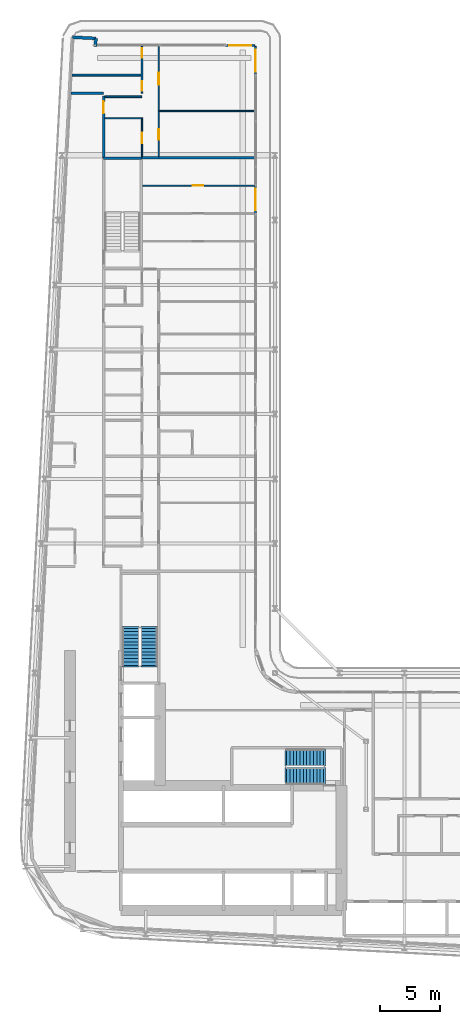
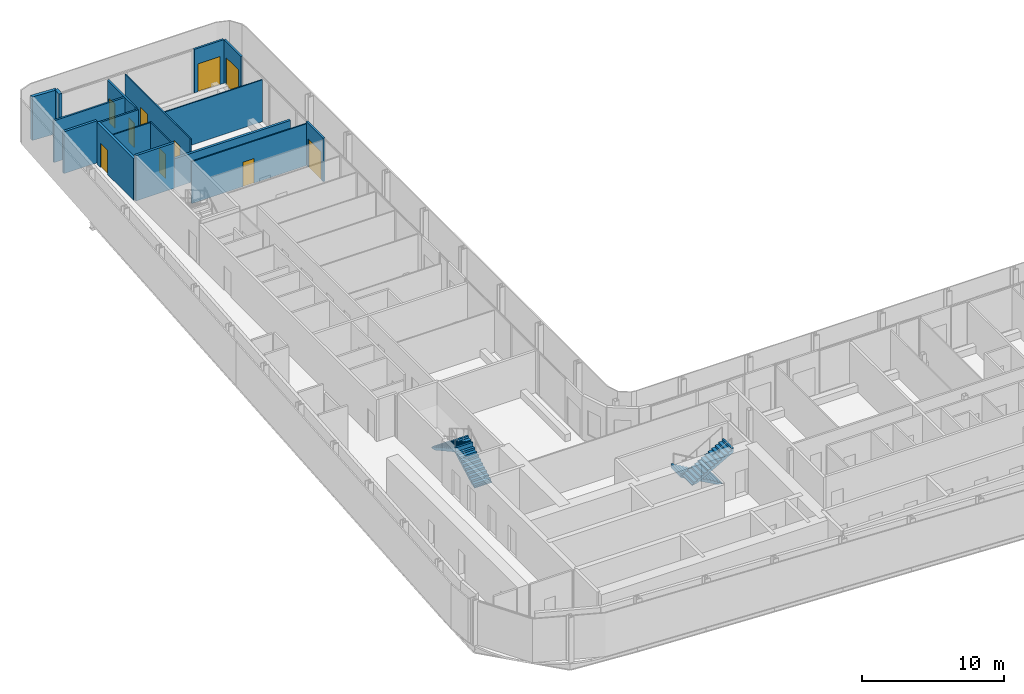
# One storey, part 20 of 28: 17 walls, 10 doors, 4 stair flights, 10 openings, 2 elements without a shape of their own.
"""IFC4 building model written with IfcOpenShell, lengths in metres."""

from ifc_helpers import new_model, si_unit, direction, frame, frame_2d, origin, place, context, subcontext, project, spatial, polyline, rectangle, outline, extrude, source, transform, mapped, material, layer, layer_set, type_object, element, fill, aggregate, save


model = new_model("IFC4")

# Units and contexts
model_context = context("Model", 3, precision=1e-05, world=origin(), true_north=direction((0.0, 1.0)))
body_context = subcontext(model_context, "Body", "Model", "MODEL_VIEW")
ifc_project = project(units=[si_unit("LENGTHUNIT", "METRE"), si_unit("AREAUNIT", "SQUARE_METRE"), si_unit("VOLUMEUNIT", "CUBIC_METRE"), si_unit("PLANEANGLEUNIT", "RADIAN"), si_unit("MASSUNIT", "GRAM", prefix="KILO")], contexts=[model_context])

# Site, building, storey
site_placement = place(None, origin())
site = spatial("IfcSite", under=ifc_project, at=site_placement, CompositionType="ELEMENT")
building_placement = place(site_placement, origin())
building = spatial("IfcBuilding", under=site, at=building_placement, Name="Kheshtan School and Residences Tower", CompositionType="ELEMENT")
storey_placement = place(building_placement, frame((0.0, 0.0, 129.199951171875)))
storey = spatial("IfcBuildingStorey", under=building, at=storey_placement, Name="L30", CompositionType="ELEMENT", Elevation=129.199951171875)

# Wall
ifc_material_1 = material(Name="Gypsum board on steel studs with fire boards", Category="steel")
ifc_layer_1 = layer(ifc_material_1, 0.199951171875)
ifc_layer_set_1 = layer_set([ifc_layer_1], Name="Corridor wall 200")
wall_type_1 = type_object("IfcWallType", Name="Corridor wall 200", PredefinedType="PARTITIONING", material=ifc_layer_set_1)
wall_1_placement = place(storey_placement, frame((30.584716796875, 94.0, 0.0), z_axis=(0.0, 0.0, 1.0), x_axis=(1.0, 0.0, 0.0)))
element("IfcWall", 1, at=wall_1_placement, inside=storey, type_object=wall_type_1, Name="Partition L30-002", PredefinedType="PARTITIONING", context=body_context, shape_type="SweptSolid", body=[
    extrude(rectangle(XDim=2.71533203125, YDim=0.199951171875, at=frame_2d((1.357666015625, 0.0))), origin(), (0.0, 0.0, 1.0), 3.60009765625),
])

# Wall, opening, door
wall_2_placement = place(storey_placement, frame((33.300048828125, 88.60009765625, 0.0), z_axis=(0.0, 0.0, 1.0), x_axis=(0.0, 1.0, 0.0)))
wall_2 = element("IfcWall", 2, at=wall_2_placement, inside=storey, type_object=wall_type_1, Name="Partition L30-004", PredefinedType="PARTITIONING", context=body_context, shape_type="SweptSolid", body=[
    extrude(rectangle(XDim=5.1748046875, YDim=0.199951171875, at=frame_2d((2.58740234375, 0.0))), origin(), (0.0, 0.0, 1.0), 3.60009765625),
])
opening_1_placement = place(wall_2_placement, frame((3.699951171875, 0.0, 0.0)))
opening_1 = element("IfcOpeningElement", 3, at=opening_1_placement, cuts=wall_2, Name="Opening D29-059", PredefinedType="OPENING", context=body_context, shape_type="SweptSolid", body=[
    extrude(rectangle(XDim=1.0, YDim=2.10009765625, at=frame_2d((0.5, 1.050048828125))), frame((0.0, 0.10986328125, 0.0), z_axis=(0.0, -1.0, 0.0), x_axis=(1.0, 0.0, 0.0)), (0.0, 0.0, 1.0), 0.219970703125),
])
ifc_material_2 = material(Name="Steel-framed fire-resisting door leaf", Category="steel")
door_type_1 = type_object("IfcDoorType", Name="Fire door FD30S 1000 x 2100", OperationType="SINGLE_SWING_LEFT", PredefinedType="DOOR", material=ifc_material_2)
shared_shape_1 = source(origin(), body_context, "Body", "SweptSolid", [
    extrude(rectangle(XDim=1.0, YDim=2.10009765625, at=frame_2d((0.5, 1.050048828125))), frame((0.0, 0.02490234375, 0.0), z_axis=(0.0, -1.0, 0.0), x_axis=(1.0, 0.0, 0.0)), (0.0, 0.0, 1.0), 0.050048828125),
])
door_1_placement = place(opening_1_placement, origin())
door_1 = element("IfcDoor", 4, at=door_1_placement, inside=storey, type_object=door_type_1, Name="Door D29-059", OperationType="SINGLE_SWING_RIGHT", OverallHeight=2.10009765625, OverallWidth=1.0, PredefinedType="DOOR", context=body_context, shape_type="MappedRepresentation", body=[
    mapped(shared_shape_1, transform((0.0, 0.0, 0.0), x_axis=(1.0, 0.0, 0.0), y_axis=(0.0, 1.0, 0.0), z_axis=(0.0, 0.0, 1.0), scale=1.0)),
])
fill(opening_1, door_1)

# Walls
ifc_material_3 = material(Name="Concrete C40/50 with ceramic cladding and mineral wool insulation", Category="concrete")
ifc_layer_2 = layer(ifc_material_3, 0.25)
ifc_layer_set_2 = layer_set([ifc_layer_2], Name="External wall 250 ceramic clad")
wall_type_2 = type_object("IfcWallType", Name="External wall 250 ceramic clad", PredefinedType="SOLIDWALL", material=ifc_layer_set_2)
wall_3_placement = place(storey_placement, frame((30.705078125, 98.6640625, 0.0), z_axis=(0.0, 0.0, 1.0), x_axis=(0.998577785791, -0.053314216913, 0.0)))
element("IfcWall", 5, at=wall_3_placement, inside=storey, type_object=wall_type_2, Name="External wall L30 5", PredefinedType="SOLIDWALL", context=body_context, shape_type="SweptSolid", body=[
    extrude(rectangle(XDim=1.95068359375, YDim=0.25, at=frame_2d((0.975341796875, 0.0))), origin(), (0.0, 0.0, 1.0), 3.75),
])
wall_4_placement = place(storey_placement, frame((32.653076171875, 98.56005859375, 0.0), z_axis=(0.0, 0.0, 1.0), x_axis=(-0.054093451632, -0.998535877418, 0.0)))
element("IfcWall", 6, at=wall_4_placement, inside=storey, type_object=wall_type_2, Name="External wall L30 6", PredefinedType="SOLIDWALL", context=body_context, shape_type="SweptSolid", body=[
    extrude(rectangle(XDim=0.66796875, YDim=0.25, at=frame_2d((0.333984375, 0.0))), origin(), (0.0, 0.0, 1.0), 3.75),
])

# Wall, opening, door
ifc_material_4 = material(Name="Aluminium frame wall with insulated infill", Category="aluminium")
ifc_layer_3 = layer(ifc_material_4, 0.14990234375)
ifc_layer_set_3 = layer_set([ifc_layer_3], Name="Glazing frame wall 150")
wall_type_3 = type_object("IfcWallType", Name="Glazing frame wall 150", PredefinedType="SOLIDWALL", material=ifc_layer_set_3)
wall_5_placement = place(storey_placement, frame((43.5, 97.97509765625, 0.0), z_axis=(0.0, 0.0, 1.0), x_axis=(1.0, 0.0, 0.0)))
wall_5 = element("IfcWall", 7, at=wall_5_placement, inside=storey, type_object=wall_type_3, Name="Balcony door wall L30 7.1", PredefinedType="SOLIDWALL", context=body_context, shape_type="SweptSolid", body=[
    extrude(rectangle(XDim=2.39990234375, YDim=0.14990234375, at=frame_2d((1.199951171875, 0.0))), origin(), (0.0, 0.0, 1.0), 3.75),
])
opening_2_placement = place(wall_5_placement, frame((0.300048828125, 0.0, 0.0)))
opening_2 = element("IfcOpeningElement", 8, at=opening_2_placement, cuts=wall_5, Name="Opening BD", PredefinedType="OPENING", context=body_context, shape_type="SweptSolid", body=[
    extrude(rectangle(XDim=1.800048828125, YDim=2.39990234375, at=frame_2d((0.89990234375, 1.199951171875))), frame((0.0, 0.0849609375, 0.0), z_axis=(0.0, -1.0, 0.0), x_axis=(1.0, 0.0, 0.0)), (0.0, 0.0, 1.0), 0.169921875),
])
ifc_material_5 = material(Name="Clear low-e glass in thermally broken aluminium frame", Category="aluminium")
door_type_2 = type_object("IfcDoorType", Name="Balcony sliding door", OperationType="SLIDING_TO_LEFT", PredefinedType="DOOR", material=ifc_material_5)
shared_shape_2 = source(origin(), body_context, "Body", "SweptSolid", [
    extrude(rectangle(XDim=1.800048828125, YDim=2.39990234375, at=frame_2d((0.89990234375, 1.199951171875))), frame((0.0, 0.02490234375, 0.0), z_axis=(0.0, -1.0, 0.0), x_axis=(1.0, 0.0, 0.0)), (0.0, 0.0, 1.0), 0.050048828125),
])
door_2_placement = place(opening_2_placement, origin())
door_2 = element("IfcDoor", 9, at=door_2_placement, inside=storey, type_object=door_type_2, Name="Balcony door L30 7.1", OperationType="SLIDING_TO_LEFT", OverallHeight=2.39990234375, OverallWidth=1.800048828125, PredefinedType="DOOR", context=body_context, shape_type="MappedRepresentation", body=[
    mapped(shared_shape_2, transform((0.0, 0.0, 0.0), x_axis=(1.0, 0.0, 0.0), y_axis=(0.0, 1.0, 0.0), z_axis=(0.0, 0.0, 1.0), scale=1.0)),
])
fill(opening_2, door_2)

wall_6_placement = place(storey_placement, frame((45.97509765625, 97.89990234375, 0.0), z_axis=(0.0, 0.0, 1.0), x_axis=(0.0, -1.0, 0.0)))
wall_6 = element("IfcWall", 10, at=wall_6_placement, inside=storey, type_object=wall_type_3, Name="Balcony door wall L30 8.1", PredefinedType="SOLIDWALL", context=body_context, shape_type="SweptSolid", body=[
    extrude(rectangle(XDim=2.39990234375, YDim=0.14990234375, at=frame_2d((1.199951171875, 0.0))), origin(), (0.0, 0.0, 1.0), 3.75),
])
opening_3_placement = place(wall_6_placement, frame((0.300048828125, 0.0, 0.0)))
opening_3 = element("IfcOpeningElement", 11, at=opening_3_placement, cuts=wall_6, Name="Opening BD", PredefinedType="OPENING", context=body_context, shape_type="SweptSolid", body=[
    extrude(rectangle(XDim=1.800048828125, YDim=2.39990234375, at=frame_2d((0.89990234375, 1.199951171875))), frame((0.0, 0.0849609375, 0.0), z_axis=(0.0, -1.0, 0.0), x_axis=(1.0, 0.0, 0.0)), (0.0, 0.0, 1.0), 0.169921875),
])
door_3_placement = place(opening_3_placement, origin())
door_3 = element("IfcDoor", 12, at=door_3_placement, inside=storey, type_object=door_type_2, Name="Balcony door L30 8.1", OperationType="SLIDING_TO_LEFT", OverallHeight=2.39990234375, OverallWidth=1.800048828125, PredefinedType="DOOR", context=body_context, shape_type="MappedRepresentation", body=[
    mapped(shared_shape_2, transform((0.0, 0.0, 0.0), x_axis=(1.0, 0.0, 0.0), y_axis=(0.0, 1.0, 0.0), z_axis=(0.0, 0.0, 1.0), scale=1.0)),
])
fill(opening_3, door_3)

wall_7_placement = place(storey_placement, frame((45.97509765625, 86.305908203125, 0.0), z_axis=(0.0, 0.0, 1.0), x_axis=(0.0, -1.0, 0.0)))
wall_7 = element("IfcWall", 13, at=wall_7_placement, inside=storey, type_object=wall_type_3, Name="Balcony door wall L30 8.2", PredefinedType="SOLIDWALL", context=body_context, shape_type="SweptSolid", body=[
    extrude(rectangle(XDim=2.39990234375, YDim=0.14990234375, at=frame_2d((1.199951171875, 0.0))), origin(), (0.0, 0.0, 1.0), 3.75),
])
opening_4_placement = place(wall_7_placement, frame((0.300048828125, 0.0, 0.0)))
opening_4 = element("IfcOpeningElement", 14, at=opening_4_placement, cuts=wall_7, Name="Opening BD", PredefinedType="OPENING", context=body_context, shape_type="SweptSolid", body=[
    extrude(rectangle(XDim=1.800048828125, YDim=2.39990234375, at=frame_2d((0.89990234375, 1.199951171875))), frame((0.0, 0.0849609375, 0.0), z_axis=(0.0, -1.0, 0.0), x_axis=(1.0, 0.0, 0.0)), (0.0, 0.0, 1.0), 0.169921875),
])
door_4_placement = place(opening_4_placement, origin())
door_4 = element("IfcDoor", 15, at=door_4_placement, inside=storey, type_object=door_type_2, Name="Balcony door L30 8.2", OperationType="SLIDING_TO_LEFT", OverallHeight=2.39990234375, OverallWidth=1.800048828125, PredefinedType="DOOR", context=body_context, shape_type="MappedRepresentation", body=[
    mapped(shared_shape_2, transform((0.0, 0.0, 0.0), x_axis=(1.0, 0.0, 0.0), y_axis=(0.0, 1.0, 0.0), z_axis=(0.0, 0.0, 1.0), scale=1.0)),
])
fill(opening_4, door_4)

# Wall
ifc_material_6 = material(Name="Gypsum board on steel studs", Category="steel")
ifc_layer_4 = layer(ifc_material_6, 0.10009765625)
ifc_layer_set_4 = layer_set([ifc_layer_4], Name="Gypsum partition 100")
wall_type_4 = type_object("IfcWallType", Name="Gypsum partition 100", PredefinedType="PARTITIONING", material=ifc_layer_set_4)
wall_8_placement = place(storey_placement, frame((33.39990234375, 91.89990234375, 0.0), z_axis=(0.0, 0.0, 1.0), x_axis=(1.0, 0.0, 0.0)))
element("IfcWall", 16, at=wall_8_placement, inside=storey, type_object=wall_type_4, Name="Partition L30-018", PredefinedType="PARTITIONING", context=body_context, shape_type="SweptSolid", body=[
    extrude(rectangle(XDim=3.050048828125, YDim=0.10009765625, at=frame_2d((1.52490234375, 0.0))), origin(), (0.0, 0.0, 1.0), 3.60009765625),
])

# Wall, opening, door
wall_9_placement = place(storey_placement, frame((36.5, 88.699951171875, 0.0), z_axis=(0.0, 0.0, 1.0), x_axis=(0.0, 1.0, 0.0)))
wall_9 = element("IfcWall", 17, at=wall_9_placement, inside=storey, type_object=wall_type_4, Name="Partition L30-027", PredefinedType="PARTITIONING", context=body_context, shape_type="SweptSolid", body=[
    extrude(rectangle(XDim=3.25, YDim=0.10009765625, at=frame_2d((1.625, 0.0))), origin(), (0.0, 0.0, 1.0), 3.60009765625),
])
opening_5_placement = place(wall_9_placement, frame((1.10009765625, 0.0, 0.0)))
opening_5 = element("IfcOpeningElement", 18, at=opening_5_placement, cuts=wall_9, Name="Opening D29-060", PredefinedType="OPENING", context=body_context, shape_type="SweptSolid", body=[
    extrude(rectangle(XDim=0.89990234375, YDim=2.10009765625, at=frame_2d((0.449951171875, 1.050048828125))), frame((0.0, 0.06005859375, 0.0), z_axis=(0.0, -1.0, 0.0), x_axis=(1.0, 0.0, 0.0)), (0.0, 0.0, 1.0), 0.1201171875),
])
ifc_material_7 = material(Name="Veneered timber door leaf", Category="wood")
door_type_3 = type_object("IfcDoorType", Name="Door 900 x 2100", OperationType="SINGLE_SWING_LEFT", PredefinedType="DOOR", material=ifc_material_7)
shared_shape_3 = source(origin(), body_context, "Body", "SweptSolid", [
    extrude(rectangle(XDim=0.89990234375, YDim=2.10009765625, at=frame_2d((0.449951171875, 1.050048828125))), frame((0.0, 0.02490234375, 0.0), z_axis=(0.0, -1.0, 0.0), x_axis=(1.0, 0.0, 0.0)), (0.0, 0.0, 1.0), 0.050048828125),
])
door_5_placement = place(opening_5_placement, origin())
door_5 = element("IfcDoor", 19, at=door_5_placement, inside=storey, type_object=door_type_3, Name="Door D29-060", OperationType="SINGLE_SWING_LEFT", OverallHeight=2.10009765625, OverallWidth=0.89990234375, PredefinedType="DOOR", context=body_context, shape_type="MappedRepresentation", body=[
    mapped(shared_shape_3, transform((0.0, 0.0, 0.0), x_axis=(1.0, 0.0, 0.0), y_axis=(0.0, 1.0, 0.0), z_axis=(0.0, 0.0, 1.0), scale=1.0)),
])
fill(opening_5, door_5)

wall_10_placement = place(storey_placement, frame((36.549072265625, 86.27490234375, 0.0), z_axis=(0.0, 0.0, 1.0), x_axis=(1.0, 0.0, 0.0)))
wall_10 = element("IfcWall", 20, at=wall_10_placement, inside=storey, type_object=wall_type_4, Name="Partition L30-031", PredefinedType="PARTITIONING", context=body_context, shape_type="SweptSolid", body=[
    extrude(rectangle(XDim=9.350830078125, YDim=0.10009765625, at=frame_2d((4.67529296875, 0.0))), origin(), (0.0, 0.0, 1.0), 3.60009765625),
])
opening_6_placement = place(wall_10_placement, frame((4.176025390625, 0.0, 0.0)))
opening_6 = element("IfcOpeningElement", 21, at=opening_6_placement, cuts=wall_10, Name="Opening D29-056", PredefinedType="OPENING", context=body_context, shape_type="SweptSolid", body=[
    extrude(rectangle(XDim=0.89990234375, YDim=2.10009765625, at=frame_2d((0.449951171875, 1.050048828125))), frame((0.0, 0.06005859375, 0.0), z_axis=(0.0, -1.0, 0.0), x_axis=(1.0, 0.0, 0.0)), (0.0, 0.0, 1.0), 0.1201171875),
])
door_6_placement = place(opening_6_placement, origin())
door_6 = element("IfcDoor", 22, at=door_6_placement, inside=storey, type_object=door_type_3, Name="Door D29-056", OperationType="SINGLE_SWING_RIGHT", OverallHeight=2.10009765625, OverallWidth=0.89990234375, PredefinedType="DOOR", context=body_context, shape_type="MappedRepresentation", body=[
    mapped(shared_shape_3, transform((0.0, 0.0, 0.0), x_axis=(1.0, 0.0, 0.0), y_axis=(0.0, 1.0, 0.0), z_axis=(0.0, 0.0, 1.0), scale=1.0)),
])
fill(opening_6, door_6)

# Wall, openings, doors
wall_11_placement = place(storey_placement, frame((37.89990234375, 88.699951171875, 0.0), z_axis=(0.0, 0.0, 1.0), x_axis=(0.0, 1.0, 0.0)))
wall_11 = element("IfcWall", 23, at=wall_11_placement, inside=storey, type_object=wall_type_4, Name="Partition L30-034", PredefinedType="PARTITIONING", context=body_context, shape_type="SweptSolid", body=[
    extrude(rectangle(XDim=9.199951171875, YDim=0.10009765625, at=frame_2d((4.60009765625, 0.0))), origin(), (0.0, 0.0, 1.0), 3.60009765625),
])
opening_7_placement = place(wall_11_placement, frame((1.39990234375, 0.0, 0.0)))
opening_7 = element("IfcOpeningElement", 24, at=opening_7_placement, cuts=wall_11, Name="Opening D29-058", PredefinedType="OPENING", context=body_context, shape_type="SweptSolid", body=[
    extrude(rectangle(XDim=0.89990234375, YDim=2.10009765625, at=frame_2d((0.449951171875, 1.050048828125))), frame((0.0, 0.06005859375, 0.0), z_axis=(0.0, -1.0, 0.0), x_axis=(1.0, 0.0, 0.0)), (0.0, 0.0, 1.0), 0.1201171875),
])
opening_8_placement = place(wall_11_placement, frame((6.0, 0.0, 0.0)))
opening_8 = element("IfcOpeningElement", 25, at=opening_8_placement, cuts=wall_11, Name="Opening D29-061", PredefinedType="OPENING", context=body_context, shape_type="SweptSolid", body=[
    extrude(rectangle(XDim=1.0, YDim=2.10009765625, at=frame_2d((0.5, 1.050048828125))), frame((0.0, 0.06005859375, 0.0), z_axis=(0.0, -1.0, 0.0), x_axis=(1.0, 0.0, 0.0)), (0.0, 0.0, 1.0), 0.1201171875),
])
door_type_4 = type_object("IfcDoorType", Name="Door 1000 x 2100", OperationType="SINGLE_SWING_LEFT", PredefinedType="DOOR", material=ifc_material_7)
shared_shape_4 = source(origin(), body_context, "Body", "SweptSolid", [
    extrude(rectangle(XDim=1.0, YDim=2.10009765625, at=frame_2d((0.5, 1.050048828125))), frame((0.0, 0.02490234375, 0.0), z_axis=(0.0, -1.0, 0.0), x_axis=(1.0, 0.0, 0.0)), (0.0, 0.0, 1.0), 0.050048828125),
])
door_7_placement = place(opening_8_placement, origin())
door_7 = element("IfcDoor", 26, at=door_7_placement, inside=storey, type_object=door_type_4, Name="Door D29-061", OperationType="SINGLE_SWING_RIGHT", OverallHeight=2.10009765625, OverallWidth=1.0, PredefinedType="DOOR", context=body_context, shape_type="MappedRepresentation", body=[
    mapped(shared_shape_4, transform((0.0, 0.0, 0.0), x_axis=(1.0, 0.0, 0.0), y_axis=(0.0, 1.0, 0.0), z_axis=(0.0, 0.0, 1.0), scale=1.0)),
])
fill(opening_8, door_7)
door_8_placement = place(opening_7_placement, origin())
door_8 = element("IfcDoor", 27, at=door_8_placement, inside=storey, type_object=door_type_3, Name="Door D29-058", OperationType="SINGLE_SWING_LEFT", OverallHeight=2.10009765625, OverallWidth=0.89990234375, PredefinedType="DOOR", context=body_context, shape_type="MappedRepresentation", body=[
    mapped(shared_shape_3, transform((0.0, 0.0, 0.0), x_axis=(1.0, 0.0, 0.0), y_axis=(0.0, 1.0, 0.0), z_axis=(0.0, 0.0, 1.0), scale=1.0)),
])
fill(opening_7, door_8)

# Walls
wall_12_placement = place(storey_placement, frame((37.949951171875, 92.5, 0.0), z_axis=(0.0, 0.0, 1.0), x_axis=(1.0, 0.0, 0.0)))
element("IfcWall", 28, at=wall_12_placement, inside=storey, type_object=wall_type_4, Name="Partition L30-035", PredefinedType="PARTITIONING", context=body_context, shape_type="SweptSolid", body=[
    extrude(rectangle(XDim=7.949951171875, YDim=0.10009765625, at=frame_2d((3.97509765625, 0.0))), origin(), (0.0, 0.0, 1.0), 3.60009765625),
])
ifc_material_8 = material(Name="Concrete C40/50", Category="concrete")
ifc_layer_5 = layer(ifc_material_8, 0.199951171875)
ifc_layer_set_5 = layer_set([ifc_layer_5], Name="Stair enclosure wall 200 Concrete C40/50")
wall_type_5 = type_object("IfcWallType", Name="Stair enclosure wall 200 Concrete C40/50", PredefinedType="SHEAR", material=ifc_layer_set_5)
wall_13_placement = place(storey_placement, frame((33.300048828125, 88.56005859375, 0.0), z_axis=(0.0, 0.0, 1.0), x_axis=(1.0, 0.0, 0.0)))
element("IfcWall", 29, at=wall_13_placement, inside=storey, type_object=wall_type_5, Name="Stair enclosure wall ST3", PredefinedType="SHEAR", context=body_context, shape_type="SweptSolid", body=[
    extrude(rectangle(XDim=3.14990234375, YDim=0.199951171875, at=frame_2d((1.574951171875, 0.0))), origin(), (0.0, 0.0, 1.0), 3.900146484375),
])
ifc_material_9 = material(Name="Twin gypsum board on steel studs with mineral wool", Category="steel")
ifc_layer_6 = layer(ifc_material_9, 0.199951171875)
ifc_layer_set_6 = layer_set([ifc_layer_6], Name="Unit demising wall 200")
wall_type_6 = type_object("IfcWallType", Name="Unit demising wall 200", PredefinedType="PARTITIONING", material=ifc_layer_set_6)
wall_14_placement = place(storey_placement, frame((36.449951171875, 88.60009765625, 0.0), z_axis=(0.0, 0.0, 1.0), x_axis=(1.0, 0.0, 0.0)))
element("IfcWall", 30, at=wall_14_placement, inside=storey, type_object=wall_type_6, Name="Partition L30-023", PredefinedType="PARTITIONING", context=body_context, shape_type="SweptSolid", body=[
    extrude(rectangle(XDim=9.449951171875, YDim=0.199951171875, at=frame_2d((4.72509765625, 0.0))), origin(), (0.0, 0.0, 1.0), 2.5),
])
ifc_material_10 = material(Name="Moisture-resistant gypsum board on steel studs", Category="steel")
ifc_layer_7 = layer(ifc_material_10, 0.14990234375)
ifc_layer_set_7 = layer_set([ifc_layer_7], Name="Wet-room partition 150")
wall_type_7 = type_object("IfcWallType", Name="Wet-room partition 150", PredefinedType="PARTITIONING", material=ifc_layer_set_7)
wall_15_placement = place(storey_placement, frame((30.6640625, 95.5, 0.0), z_axis=(0.0, 0.0, 1.0), x_axis=(1.0, 0.0, 0.0)))
element("IfcWall", 31, at=wall_15_placement, inside=storey, type_object=wall_type_7, Name="Partition L30-001", PredefinedType="PARTITIONING", context=body_context, shape_type="SweptSolid", body=[
    extrude(rectangle(XDim=5.760986328125, YDim=0.14990234375, at=frame_2d((2.88037109375, 0.0))), origin(), (0.0, 0.0, 1.0), 3.60009765625),
])
wall_16_placement = place(storey_placement, frame((33.39990234375, 93.699951171875, 0.0), z_axis=(0.0, 0.0, 1.0), x_axis=(1.0, 0.0, 0.0)))
element("IfcWall", 32, at=wall_16_placement, inside=storey, type_object=wall_type_7, Name="Partition L30-019", PredefinedType="PARTITIONING", context=body_context, shape_type="SweptSolid", body=[
    extrude(rectangle(XDim=3.10009765625, YDim=0.14990234375, at=frame_2d((1.550048828125, 0.0))), origin(), (0.0, 0.0, 1.0), 3.60009765625),
])

# Wall, openings, doors
wall_17_placement = place(storey_placement, frame((36.5, 94.0, 0.0), z_axis=(0.0, 0.0, 1.0), x_axis=(0.0, 1.0, 0.0)))
wall_17 = element("IfcWall", 33, at=wall_17_placement, inside=storey, type_object=wall_type_7, Name="Partition L30-028", PredefinedType="PARTITIONING", context=body_context, shape_type="SweptSolid", body=[
    extrude(rectangle(XDim=3.89990234375, YDim=0.14990234375, at=frame_2d((1.949951171875, 0.0))), origin(), (0.0, 0.0, 1.0), 3.60009765625),
])
opening_9_placement = place(wall_17_placement, frame((2.949951171875, 0.0, 0.0)))
opening_9 = element("IfcOpeningElement", 34, at=opening_9_placement, cuts=wall_17, Name="Opening D29-057", PredefinedType="OPENING", context=body_context, shape_type="SweptSolid", body=[
    extrude(rectangle(XDim=0.800048828125, YDim=2.10009765625, at=frame_2d((0.39990234375, 1.050048828125))), frame((0.0, 0.0849609375, 0.0), z_axis=(0.0, -1.0, 0.0), x_axis=(1.0, 0.0, 0.0)), (0.0, 0.0, 1.0), 0.169921875),
])
opening_10_placement = place(wall_17_placement, frame((0.199951171875, 0.0, 0.0)))
opening_10 = element("IfcOpeningElement", 35, at=opening_10_placement, cuts=wall_17, Name="Opening D29-062", PredefinedType="OPENING", context=body_context, shape_type="SweptSolid", body=[
    extrude(rectangle(XDim=0.800048828125, YDim=2.10009765625, at=frame_2d((0.39990234375, 1.050048828125))), frame((0.0, 0.0849609375, 0.0), z_axis=(0.0, -1.0, 0.0), x_axis=(1.0, 0.0, 0.0)), (0.0, 0.0, 1.0), 0.169921875),
])
door_type_5 = type_object("IfcDoorType", Name="Door 800 x 2100", OperationType="SINGLE_SWING_LEFT", PredefinedType="DOOR", material=ifc_material_7)
shared_shape_5 = source(origin(), body_context, "Body", "SweptSolid", [
    extrude(rectangle(XDim=0.800048828125, YDim=2.10009765625, at=frame_2d((0.39990234375, 1.050048828125))), frame((0.0, 0.02490234375, 0.0), z_axis=(0.0, -1.0, 0.0), x_axis=(1.0, 0.0, 0.0)), (0.0, 0.0, 1.0), 0.050048828125),
])
door_9_placement = place(opening_9_placement, origin())
door_9 = element("IfcDoor", 36, at=door_9_placement, inside=storey, type_object=door_type_5, Name="Door D29-057", OperationType="SINGLE_SWING_LEFT", OverallHeight=2.10009765625, OverallWidth=0.800048828125, PredefinedType="DOOR", context=body_context, shape_type="MappedRepresentation", body=[
    mapped(shared_shape_5, transform((0.0, 0.0, 0.0), x_axis=(1.0, 0.0, 0.0), y_axis=(0.0, 1.0, 0.0), z_axis=(0.0, 0.0, 1.0), scale=1.0)),
])
fill(opening_9, door_9)
door_10_placement = place(opening_10_placement, origin())
door_10 = element("IfcDoor", 37, at=door_10_placement, inside=storey, type_object=door_type_5, Name="Door D29-062", OperationType="SINGLE_SWING_RIGHT", OverallHeight=2.10009765625, OverallWidth=0.800048828125, PredefinedType="DOOR", context=body_context, shape_type="MappedRepresentation", body=[
    mapped(shared_shape_5, transform((0.0, 0.0, 0.0), x_axis=(1.0, 0.0, 0.0), y_axis=(0.0, 1.0, 0.0), z_axis=(0.0, 0.0, 1.0), scale=1.0)),
])
fill(opening_10, door_10)

# Stair, stair flights
stair_type = type_object("IfcStairType", Name="Exit stair, half-turn", PredefinedType="HALF_TURN_STAIR", material=ifc_material_8)
stair_1_placement = place(storey_placement, origin())
stair_1 = element("IfcStair", 38, at=stair_1_placement, inside=storey, type_object=stair_type, Name="L30 Protected Exit Stair ST1", PredefinedType="HALF_TURN_STAIR")
ifc_layer_8 = layer(ifc_material_8, 0.14990234375)
ifc_layer_set_8 = layer_set([ifc_layer_8], Name="Stair flight 1400 Concrete C40/50")
stair_flight_type = type_object("IfcStairFlightType", Name="Stair flight 1400 Concrete C40/50", PredefinedType="STRAIGHT", material=ifc_layer_set_8)
stair_flight_1_placement = place(storey_placement, frame((51.64990234375, 38.550048828125, 0.0), z_axis=(0.0, 0.0, 1.0), x_axis=(-1.0, 0.0, 0.0)))
stair_flight_1 = element("IfcStairFlight", 39, at=stair_flight_1_placement, type_object=stair_flight_type, Name="ST1 flight 1", NumberOfRisers=12, NumberOfTreads=11, PredefinedType="STRAIGHT", RiserHeight=0.1625, TreadLength=0.28, context=body_context, shape_type="SweptSolid", body=[
    extrude(outline(polyline([(-0.14990234375, -0.10009765625), (-0.14990234375, 0.0), (0.0, 0.0), (0.0, 0.16259765625), (0.280029296875, 0.16259765625), (0.280029296875, 0.324951171875), (0.56005859375, 0.324951171875), (0.56005859375, 0.487548828125), (0.840087890625, 0.487548828125), (0.840087890625, 0.64990234375), (1.1201171875, 0.64990234375), (1.1201171875, 0.8125), (1.39990234375, 0.8125), (1.39990234375, 0.97509765625), (1.679931640625, 0.97509765625), (1.679931640625, 1.137451171875), (1.9599609375, 1.137451171875), (1.9599609375, 1.300048828125), (2.239990234375, 1.300048828125), (2.239990234375, 1.46240234375), (2.52001953125, 1.46240234375), (2.52001953125, 1.625), (2.800048828125, 1.625), (2.800048828125, 1.78759765625), (3.080078125, 1.78759765625), (3.080078125, 1.949951171875), (3.080078125, 1.969970703125), (3.22998046875, 1.969970703125), (3.22998046875, 1.6142578125), (0.298583984375, 0.0), (-0.14990234375, -0.10009765625)])), frame((0.0, 0.699951171875, 0.0), z_axis=(0.0, -1.0, 0.0), x_axis=(1.0, 0.0, 0.0)), (0.0, 0.0, 1.0), 1.39990234375),
])
stair_flight_2_placement = place(storey_placement, frame((48.570068359375, 37.0, 1.949951171875), z_axis=(0.0, 0.0, 1.0), x_axis=(1.0, 0.0, 0.0)))
stair_flight_2 = element("IfcStairFlight", 40, at=stair_flight_2_placement, type_object=stair_flight_type, Name="ST1 flight 2", NumberOfRisers=12, NumberOfTreads=11, PredefinedType="STRAIGHT", RiserHeight=0.1625, TreadLength=0.28, context=body_context, shape_type="SweptSolid", body=[
    extrude(outline(polyline([(-0.14990234375, -0.10009765625), (-0.14990234375, 0.0), (0.0, 0.0), (0.0, 0.16259765625), (0.280029296875, 0.16259765625), (0.280029296875, 0.324951171875), (0.56005859375, 0.324951171875), (0.56005859375, 0.487548828125), (0.840087890625, 0.487548828125), (0.840087890625, 0.64990234375), (1.1201171875, 0.64990234375), (1.1201171875, 0.8125), (1.39990234375, 0.8125), (1.39990234375, 0.97509765625), (1.679931640625, 0.97509765625), (1.679931640625, 1.137451171875), (1.9599609375, 1.137451171875), (1.9599609375, 1.300048828125), (2.239990234375, 1.300048828125), (2.239990234375, 1.46240234375), (2.52001953125, 1.46240234375), (2.52001953125, 1.625), (2.800048828125, 1.625), (2.800048828125, 1.78759765625), (3.080078125, 1.78759765625), (3.080078125, 1.949951171875), (3.080078125, 1.969970703125), (3.22998046875, 1.969970703125), (3.22998046875, 1.6142578125), (0.298583984375, 0.0), (-0.14990234375, -0.10009765625)])), frame((0.0, 0.699951171875, 0.0), z_axis=(0.0, -1.0, 0.0), x_axis=(1.0, 0.0, 0.0)), (0.0, 0.0, 1.0), 1.39990234375),
])
aggregate(stair_1, [stair_flight_1, stair_flight_2])

stair_2_placement = place(storey_placement, origin())
stair_2 = element("IfcStair", 41, at=stair_2_placement, inside=storey, type_object=stair_type, Name="L30 Protected Exit Stair ST2", PredefinedType="HALF_TURN_STAIR")
stair_flight_3_placement = place(storey_placement, frame((37.10009765625, 46.25, 0.0), z_axis=(0.0, 0.0, 1.0), x_axis=(0.0, 1.0, 0.0)))
stair_flight_3 = element("IfcStairFlight", 42, at=stair_flight_3_placement, type_object=stair_flight_type, Name="ST2 flight 1", NumberOfRisers=12, NumberOfTreads=11, PredefinedType="STRAIGHT", RiserHeight=0.1625, TreadLength=0.28, context=body_context, shape_type="SweptSolid", body=[
    extrude(outline(polyline([(-0.14990234375, -0.10009765625), (-0.14990234375, 0.0), (0.0, 0.0), (0.0, 0.16259765625), (0.280029296875, 0.16259765625), (0.280029296875, 0.324951171875), (0.56005859375, 0.324951171875), (0.56005859375, 0.487548828125), (0.840087890625, 0.487548828125), (0.840087890625, 0.64990234375), (1.1201171875, 0.64990234375), (1.1201171875, 0.8125), (1.39990234375, 0.8125), (1.39990234375, 0.97509765625), (1.679931640625, 0.97509765625), (1.679931640625, 1.137451171875), (1.9599609375, 1.137451171875), (1.9599609375, 1.300048828125), (2.239990234375, 1.300048828125), (2.239990234375, 1.46240234375), (2.52001953125, 1.46240234375), (2.52001953125, 1.625), (2.800048828125, 1.625), (2.800048828125, 1.78759765625), (3.080078125, 1.78759765625), (3.080078125, 1.949951171875), (3.080078125, 1.969970703125), (3.22998046875, 1.969970703125), (3.22998046875, 1.6142578125), (0.298583984375, 0.0), (-0.14990234375, -0.10009765625)])), frame((0.0, 0.699951171875, 0.0), z_axis=(0.0, -1.0, 0.0), x_axis=(1.0, 0.0, 0.0)), (0.0, 0.0, 1.0), 1.39990234375),
])
stair_flight_4_placement = place(storey_placement, frame((35.550048828125, 49.330078125, 1.949951171875), z_axis=(0.0, 0.0, 1.0), x_axis=(0.0, -1.0, 0.0)))
stair_flight_4 = element("IfcStairFlight", 43, at=stair_flight_4_placement, type_object=stair_flight_type, Name="ST2 flight 2", NumberOfRisers=12, NumberOfTreads=11, PredefinedType="STRAIGHT", RiserHeight=0.1625, TreadLength=0.28, context=body_context, shape_type="SweptSolid", body=[
    extrude(outline(polyline([(-0.14990234375, -0.10009765625), (-0.14990234375, 0.0), (0.0, 0.0), (0.0, 0.16259765625), (0.280029296875, 0.16259765625), (0.280029296875, 0.324951171875), (0.56005859375, 0.324951171875), (0.56005859375, 0.487548828125), (0.840087890625, 0.487548828125), (0.840087890625, 0.64990234375), (1.1201171875, 0.64990234375), (1.1201171875, 0.8125), (1.39990234375, 0.8125), (1.39990234375, 0.97509765625), (1.679931640625, 0.97509765625), (1.679931640625, 1.137451171875), (1.9599609375, 1.137451171875), (1.9599609375, 1.300048828125), (2.239990234375, 1.300048828125), (2.239990234375, 1.46240234375), (2.52001953125, 1.46240234375), (2.52001953125, 1.625), (2.800048828125, 1.625), (2.800048828125, 1.78759765625), (3.080078125, 1.78759765625), (3.080078125, 1.949951171875), (3.080078125, 1.969970703125), (3.22998046875, 1.969970703125), (3.22998046875, 1.6142578125), (0.298583984375, 0.0), (-0.14990234375, -0.10009765625)])), frame((0.0, 0.699951171875, 0.0), z_axis=(0.0, -1.0, 0.0), x_axis=(1.0, 0.0, 0.0)), (0.0, 0.0, 1.0), 1.39990234375),
])
aggregate(stair_2, [stair_flight_3, stair_flight_4])

save(model, "model.ifc")
